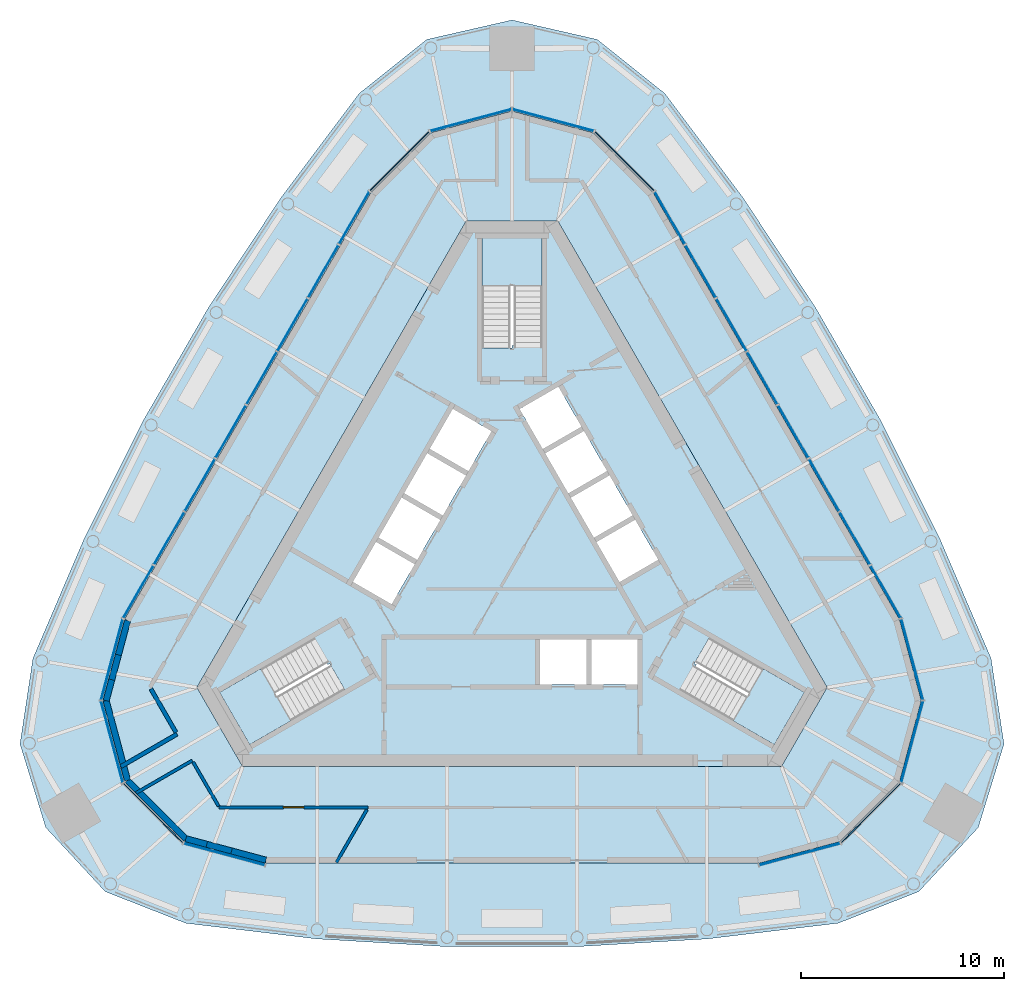
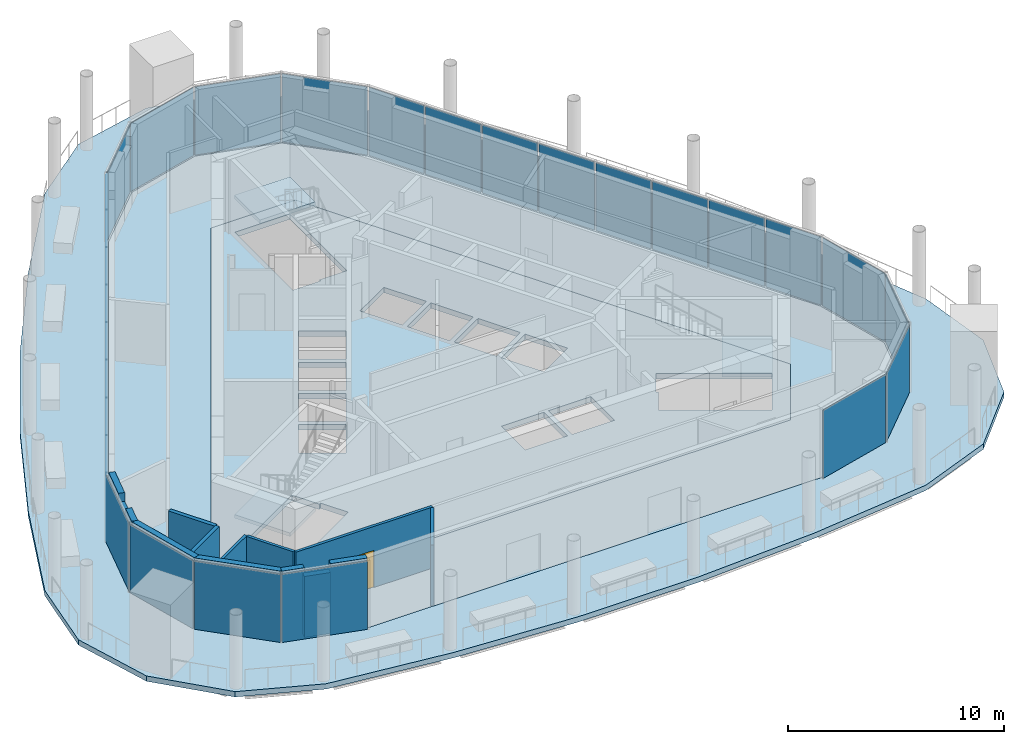
# One storey, part 5 of 15: 28 plates, 14 walls, 6 slabs, 1 door, 1 opening, 8 elements without a shape of their own.
"""IFC4 building model written with IfcOpenShell, lengths in metres."""

from ifc_helpers import new_model, si_unit, direction, frame, frame_2d, origin, origin_2d, place, context, subcontext, project, spatial, polyline, rectangle, outline, extrude, material, layer, layer_set, type_object, element, fill, aggregate, save


model = new_model("IFC4")

# Units and contexts
model_context = context("Model", 3, precision=1e-05, world=origin(), true_north=direction((0.0, 1.0)))
body_context = subcontext(model_context, "Body", "Model", "MODEL_VIEW")
ifc_project = project(units=[si_unit("LENGTHUNIT", "METRE"), si_unit("AREAUNIT", "SQUARE_METRE"), si_unit("VOLUMEUNIT", "CUBIC_METRE"), si_unit("PLANEANGLEUNIT", "RADIAN"), si_unit("MASSUNIT", "GRAM", prefix="KILO")], contexts=[model_context])

# Site, building, storey
site_placement = place(None, origin())
site = spatial("IfcSite", under=ifc_project, at=site_placement, CompositionType="ELEMENT")
building_placement = place(site_placement, origin())
building = spatial("IfcBuilding", under=site, at=building_placement, Name="Mestral Congress Tower", CompositionType="ELEMENT")
storey_placement = place(building_placement, frame((0.0, 0.0, 327.60009765625)))
storey = spatial("IfcBuildingStorey", under=building, at=storey_placement, Name="L76", CompositionType="ELEMENT", Elevation=327.60009765625)

# Slabs
ifc_material_1 = material(Name="Concrete C35/45", Category="concrete")
ifc_layer_1 = layer(ifc_material_1, 0.300048828125)
ifc_layer_set_1 = layer_set([ifc_layer_1], Name="Concrete C35/45")
slab_type_1 = type_object("IfcSlabType", Name="Composite floor slab 300", PredefinedType="FLOOR", material=ifc_layer_set_1)
placement_1 = place(storey_placement, frame((0.0, 0.0, -0.300048828125)))
element("IfcSlab", 1, at=placement_1, inside=storey, type_object=slab_type_1, Name="SL-L76", PredefinedType="FLOOR", context=body_context, shape_type="SweptSolid", body=[
    extrude(outline(polyline([(12.12451171875, -15.0), (16.12451171875, -13.92822265625), (19.052490234375, -11.0), (20.12451171875, -7.0), (19.052490234375, -3.0), (6.92822265625, 18.0), (4.0, 20.92822265625), (0.0, 22.0), (-4.0, 20.92822265625), (-6.92822265625, 18.0), (-19.052490234375, -3.0), (-20.12451171875, -7.0), (-19.052490234375, -11.0), (-16.12451171875, -13.92822265625), (-12.12451171875, -15.0), (12.12451171875, -15.0)]), holes=[polyline([(-2.251708984375, 16.60009765625), (-15.501953125, -6.35009765625), (-13.250244140625, -10.25), (13.250244140625, -10.25), (15.501953125, -6.35009765625), (2.251708984375, 16.60009765625), (-2.251708984375, 16.60009765625)])]), origin(), (0.0, 0.0, 1.0), 0.300048828125),
])
ifc_material_2 = material(Name="Concrete C60/75", Category="concrete")
ifc_layer_2 = layer(ifc_material_2, 0.300048828125)
ifc_layer_set_2 = layer_set([ifc_layer_2], Name="Concrete C60/75")
slab_type_2 = type_object("IfcSlabType", Name="Core floor slab RC 300", PredefinedType="FLOOR", material=ifc_layer_set_2)
element("IfcSlab", 2, at=placement_1, inside=storey, type_object=slab_type_2, Name="L76 core floor", PredefinedType="FLOOR", context=body_context, shape_type="SweptSolid", body=[
    extrude(outline(polyline([(13.250244140625, -10.25), (-13.250244140625, -10.25), (-15.501953125, -6.35009765625), (-2.251708984375, 16.60009765625), (2.251708984375, 16.60009765625), (15.501953125, -6.35009765625), (13.250244140625, -10.25)]), holes=[polyline([(-14.37744140625, -6.59765625), (-12.90234375, -9.15234375), (-8.234619140625, -6.45751953125), (-8.971923828125, -5.179931640625), (-9.0673828125, -5.235107421875), (-9.8046875, -3.95751953125), (-14.37744140625, -6.59765625)]), polyline([(-5.921630859375, -2.256591796875), (-4.78662109375, -0.29052734375), (-6.69189453125, 0.809326171875), (-7.826904296875, -1.156494140625), (-5.921630859375, -2.256591796875)]), polyline([(-4.66162109375, -0.07421875), (-3.526611328125, 1.8916015625), (-5.431884765625, 2.99169921875), (-6.56689453125, 1.02587890625), (-4.66162109375, -0.07421875)]), polyline([(-2.2666015625, 4.07421875), (-4.171875, 5.174072265625), (-5.306884765625, 3.208251953125), (-3.401611328125, 2.1083984375), (-2.2666015625, 4.07421875)]), polyline([(-2.1416015625, 4.29052734375), (-1.006591796875, 6.256591796875), (-2.911865234375, 7.3564453125), (-4.046875, 5.390625), (-2.1416015625, 4.29052734375)]), polyline([(0.376708984375, 7.34765625), (1.51171875, 5.3818359375), (3.4169921875, 6.481689453125), (2.281982421875, 8.44775390625), (0.376708984375, 7.34765625)]), polyline([(1.47509765625, 15.75), (-1.47509765625, 15.75), (-1.47509765625, 10.360107421875), (0.0, 10.360107421875), (0.0, 10.469970703125), (1.47509765625, 10.469970703125), (1.47509765625, 15.75)]), polyline([(8.329833984375, -6.512451171875), (12.90234375, -9.15234375), (14.37744140625, -6.59765625), (9.70947265625, -3.902587890625), (8.971923828125, -5.179931640625), (9.0673828125, -5.235107421875), (8.329833984375, -6.512451171875)]), polyline([(3.655029296875, -4.0), (1.385009765625, -4.0), (1.385009765625, -6.199951171875), (3.655029296875, -6.199951171875), (3.655029296875, -4.0)]), polyline([(6.175048828125, -4.0), (3.905029296875, -4.0), (3.905029296875, -6.199951171875), (6.175048828125, -6.199951171875), (6.175048828125, -4.0)]), polyline([(4.156494140625, 0.800537109375), (5.29150390625, -1.165283203125), (7.197021484375, -0.065185546875), (6.06201171875, 1.900634765625), (4.156494140625, 0.800537109375)]), polyline([(2.896484375, 2.98291015625), (4.031494140625, 1.01708984375), (5.93701171875, 2.1171875), (4.802001953125, 4.0830078125), (2.896484375, 2.98291015625)]), polyline([(1.63671875, 5.165283203125), (2.771484375, 3.199462890625), (4.677001953125, 4.29931640625), (3.5419921875, 6.265380859375), (1.63671875, 5.165283203125)])]), origin(), (0.0, 0.0, 1.0), 0.300048828125),
])

# Stair, slab
stair_type = type_object("IfcStairType", Name="Exit stair 1400", PredefinedType="HALF_TURN_STAIR", material=ifc_material_2)
placement_2 = place(storey_placement, origin())
stair_1 = element("IfcStair", 3, at=placement_2, inside=storey, type_object=stair_type, Name="L76 ST1", PredefinedType="HALF_TURN_STAIR")
ifc_layer_3 = layer(ifc_material_2, 0.199951171875)
ifc_layer_set_3 = layer_set([ifc_layer_3], Name="Concrete C60/75")
slab_type_3 = type_object("IfcSlabType", Name="Exit stair landing 200", PredefinedType="LANDING", material=ifc_layer_set_3)
placement_3 = place(storey_placement, frame((0.0, 0.0, 1.89990234375)))
slab_3 = element("IfcSlab", 4, at=placement_3, type_object=slab_type_3, Name="ST1 landing 1", PredefinedType="LANDING", context=body_context, shape_type="SweptSolid", body=[
    extrude(outline(polyline([(10.879638671875, -7.99609375), (12.364501953125, -5.424072265625), (14.39111328125, -6.593994140625), (12.906005859375, -9.166015625), (10.879638671875, -7.99609375)])), origin(), (0.0, 0.0, 1.0), 0.199951171875),
])
aggregate(stair_1, [slab_3])

stair_2 = element("IfcStair", 5, at=placement_2, inside=storey, type_object=stair_type, Name="L76 ST2", PredefinedType="HALF_TURN_STAIR")
slab_4 = element("IfcSlab", 6, at=placement_3, type_object=slab_type_3, Name="ST2 landing 1", PredefinedType="LANDING", context=body_context, shape_type="SweptSolid", body=[
    extrude(outline(polyline([(1.485107421875, 13.419921875), (-1.485107421875, 13.419921875), (-1.485107421875, 15.760009765625), (1.485107421875, 15.760009765625), (1.485107421875, 13.419921875)])), origin(), (0.0, 0.0, 1.0), 0.199951171875),
])
aggregate(stair_2, [slab_4])

stair_3 = element("IfcStair", 7, at=placement_2, inside=storey, type_object=stair_type, Name="L76 ST3", PredefinedType="HALF_TURN_STAIR")
slab_5 = element("IfcSlab", 8, at=placement_3, type_object=slab_type_3, Name="ST3 landing 1", PredefinedType="LANDING", context=body_context, shape_type="SweptSolid", body=[
    extrude(outline(polyline([(-12.364501953125, -5.424072265625), (-10.879638671875, -7.99609375), (-12.906005859375, -9.166015625), (-14.39111328125, -6.593994140625), (-12.364501953125, -5.424072265625)])), origin(), (0.0, 0.0, 1.0), 0.199951171875),
])
aggregate(stair_3, [slab_5])

# Curtain wall, plates
ifc_material_3 = material(Name="Glazed ceramic", Category="masonry")
curtain_wall_type = type_object("IfcCurtainWallType", Name="Facade plant louvre screen", PredefinedType="USERDEFINED", material=ifc_material_3)
curtain_wall_1 = element("IfcCurtainWall", 9, at=placement_2, inside=storey, type_object=curtain_wall_type, Name="Plant louvre screen corner 1", ObjectType="CURTAIN WALL", PredefinedType="USERDEFINED")
ifc_layer_4 = layer(ifc_material_3, 0.0400390625)
ifc_layer_set_4 = layer_set([ifc_layer_4], Name="Glazed ceramic")
plate_type = type_object("IfcPlateType", Name="Facade plant louvre screen panel", PredefinedType="CURTAIN_PANEL", material=ifc_layer_set_4)
plate_1_placement = place(storey_placement, frame((14.156982421875, -14.558837890625, -0.000244140625), z_axis=(0.0, 0.0, 1.0), x_axis=(0.965925826289, 0.258819045103, 0.0)))
plate_1 = element("IfcPlate", 10, at=plate_1_placement, type_object=plate_type, Name="Ceramic louvre panel", PredefinedType="CURTAIN_PANEL", context=body_context, shape_type="SweptSolid", body=[
    extrude(rectangle(XDim=4.10107421875, YDim=0.0400390625, at=origin_2d()), origin(), (0.0, 0.0, 1.0), 3.85009765625),
])
plate_2_placement = place(storey_placement, frame((17.6591796875, -12.534912109375, -0.000244140625), z_axis=(0.0, 0.0, 1.0), x_axis=(0.707106781187, 0.707106781187, 0.0)))
plate_2 = element("IfcPlate", 11, at=plate_2_placement, type_object=plate_type, Name="Ceramic louvre panel", PredefinedType="CURTAIN_PANEL", context=body_context, shape_type="SweptSolid", body=[
    extrude(rectangle(XDim=4.11474609375, YDim=0.0400390625, at=origin_2d()), origin(), (0.0, 0.0, 1.0), 3.85009765625),
])
plate_3_placement = place(storey_placement, frame((19.68505859375, -9.02587890625, -0.000244140625), z_axis=(0.0, 0.0, 1.0), x_axis=(0.258819045103, 0.965925826289, 0.0)))
plate_3 = element("IfcPlate", 12, at=plate_3_placement, type_object=plate_type, Name="Ceramic louvre panel", PredefinedType="CURTAIN_PANEL", context=body_context, shape_type="SweptSolid", body=[
    extrude(rectangle(XDim=4.11474609375, YDim=0.0400390625, at=origin_2d()), origin(), (0.0, 0.0, 1.0), 3.85009765625),
])
plate_4_placement = place(storey_placement, frame((19.68701171875, -4.980712890625, -0.000244140625), z_axis=(0.0, 0.0, 1.0), x_axis=(-0.258819045103, 0.965925826289, 0.0)))
plate_4 = element("IfcPlate", 13, at=plate_4_placement, type_object=plate_type, Name="Ceramic louvre panel", PredefinedType="CURTAIN_PANEL", context=body_context, shape_type="SweptSolid", body=[
    extrude(rectangle(XDim=4.10107421875, YDim=0.0400390625, at=origin_2d()), origin(), (0.0, 0.0, 1.0), 3.85009765625),
])
aggregate(curtain_wall_1, [plate_1, plate_2, plate_3, plate_4])

curtain_wall_2 = element("IfcCurtainWall", 14, at=placement_2, inside=storey, type_object=curtain_wall_type, Name="Plant louvre screen side 2", ObjectType="CURTAIN WALL", PredefinedType="USERDEFINED")
plate_5_placement = place(storey_placement, frame((18.38720703125, -1.6474609375, -0.000244140625), z_axis=(0.0, 0.0, 1.0), x_axis=(-0.500001511499, 0.866024531118, 0.0)))
plate_5 = element("IfcPlate", 15, at=plate_5_placement, type_object=plate_type, Name="Ceramic louvre panel", PredefinedType="CURTAIN_PANEL", context=body_context, shape_type="SweptSolid", body=[
    extrude(rectangle(XDim=2.954345703125, YDim=0.0400390625, at=origin_2d()), origin(), (0.0, 0.0, 1.0), 3.85009765625),
])
plate_6_placement = place(storey_placement, frame((16.8701171875, 0.98046875, -0.000244140625), z_axis=(0.0, 0.0, 1.0), x_axis=(-0.500001511499, 0.866024531118, 0.0)))
plate_6 = element("IfcPlate", 16, at=plate_6_placement, type_object=plate_type, Name="Ceramic louvre panel", PredefinedType="CURTAIN_PANEL", context=body_context, shape_type="SweptSolid", body=[
    extrude(rectangle(XDim=2.954345703125, YDim=0.0400390625, at=origin_2d()), origin(), (0.0, 0.0, 1.0), 3.85009765625),
])
plate_7_placement = place(storey_placement, frame((15.352783203125, 3.608154296875, -0.000244140625), z_axis=(0.0, 0.0, 1.0), x_axis=(-0.500001511499, 0.866024531118, 0.0)))
plate_7 = element("IfcPlate", 17, at=plate_7_placement, type_object=plate_type, Name="Ceramic louvre panel", PredefinedType="CURTAIN_PANEL", context=body_context, shape_type="SweptSolid", body=[
    extrude(rectangle(XDim=2.954345703125, YDim=0.0400390625, at=origin_2d()), origin(), (0.0, 0.0, 1.0), 3.85009765625),
])
plate_8_placement = place(storey_placement, frame((13.835693359375, 6.236083984375, -0.000244140625), z_axis=(0.0, 0.0, 1.0), x_axis=(-0.500001511499, 0.866024531118, 0.0)))
plate_8 = element("IfcPlate", 18, at=plate_8_placement, type_object=plate_type, Name="Ceramic louvre panel", PredefinedType="CURTAIN_PANEL", context=body_context, shape_type="SweptSolid", body=[
    extrude(rectangle(XDim=2.954345703125, YDim=0.0400390625, at=origin_2d()), origin(), (0.0, 0.0, 1.0), 3.85009765625),
])
plate_9_placement = place(storey_placement, frame((12.318359375, 8.864013671875, -0.000244140625), z_axis=(0.0, 0.0, 1.0), x_axis=(-0.500001511499, 0.866024531118, 0.0)))
plate_9 = element("IfcPlate", 19, at=plate_9_placement, type_object=plate_type, Name="Ceramic louvre panel", PredefinedType="CURTAIN_PANEL", context=body_context, shape_type="SweptSolid", body=[
    extrude(rectangle(XDim=2.954345703125, YDim=0.0400390625, at=origin_2d()), origin(), (0.0, 0.0, 1.0), 3.85009765625),
])
plate_10_placement = place(storey_placement, frame((10.80126953125, 11.49169921875, -0.000244140625), z_axis=(0.0, 0.0, 1.0), x_axis=(-0.500001511499, 0.866024531118, 0.0)))
plate_10 = element("IfcPlate", 20, at=plate_10_placement, type_object=plate_type, Name="Ceramic louvre panel", PredefinedType="CURTAIN_PANEL", context=body_context, shape_type="SweptSolid", body=[
    extrude(rectangle(XDim=2.954345703125, YDim=0.0400390625, at=origin_2d()), origin(), (0.0, 0.0, 1.0), 3.85009765625),
])
plate_11_placement = place(storey_placement, frame((9.283935546875, 14.11962890625, -0.000244140625), z_axis=(0.0, 0.0, 1.0), x_axis=(-0.500001511499, 0.866024531118, 0.0)))
plate_11 = element("IfcPlate", 21, at=plate_11_placement, type_object=plate_type, Name="Ceramic louvre panel", PredefinedType="CURTAIN_PANEL", context=body_context, shape_type="SweptSolid", body=[
    extrude(rectangle(XDim=2.954345703125, YDim=0.0400390625, at=origin_2d()), origin(), (0.0, 0.0, 1.0), 3.85009765625),
])
plate_12_placement = place(storey_placement, frame((7.766845703125, 16.74755859375, -0.000244140625), z_axis=(0.0, 0.0, 1.0), x_axis=(-0.500001511499, 0.866024531118, 0.0)))
plate_12 = element("IfcPlate", 22, at=plate_12_placement, type_object=plate_type, Name="Ceramic louvre panel", PredefinedType="CURTAIN_PANEL", context=body_context, shape_type="SweptSolid", body=[
    extrude(rectangle(XDim=2.954345703125, YDim=0.0400390625, at=origin_2d()), origin(), (0.0, 0.0, 1.0), 3.85009765625),
])
aggregate(curtain_wall_2, [plate_5, plate_6, plate_7, plate_8, plate_9, plate_10, plate_11, plate_12])

curtain_wall_3 = element("IfcCurtainWall", 23, at=placement_2, inside=storey, type_object=curtain_wall_type, Name="Plant louvre screen corner 3", ObjectType="CURTAIN WALL", PredefinedType="USERDEFINED")
plate_13_placement = place(storey_placement, frame((5.530029296875, 19.53955078125, -0.000244140625), z_axis=(0.0, 0.0, 1.0), x_axis=(-0.707106781187, 0.707106781187, 0.0)))
plate_13 = element("IfcPlate", 24, at=plate_13_placement, type_object=plate_type, Name="Ceramic louvre panel", PredefinedType="CURTAIN_PANEL", context=body_context, shape_type="SweptSolid", body=[
    extrude(rectangle(XDim=4.10107421875, YDim=0.0400390625, at=origin_2d()), origin(), (0.0, 0.0, 1.0), 3.85009765625),
])
plate_14_placement = place(storey_placement, frame((2.02587890625, 21.560791015625, -0.000244140625), z_axis=(0.0, 0.0, 1.0), x_axis=(-0.965925826289, 0.258819045103, 0.0)))
plate_14 = element("IfcPlate", 25, at=plate_14_placement, type_object=plate_type, Name="Ceramic louvre panel", PredefinedType="CURTAIN_PANEL", context=body_context, shape_type="SweptSolid", body=[
    extrude(rectangle(XDim=4.11474609375, YDim=0.0400390625, at=origin_2d()), origin(), (0.0, 0.0, 1.0), 3.85009765625),
])
plate_15_placement = place(storey_placement, frame((-2.02587890625, 21.560791015625, -0.000244140625), z_axis=(0.0, 0.0, 1.0), x_axis=(-0.965925826289, -0.258819045103, 0.0)))
plate_15 = element("IfcPlate", 26, at=plate_15_placement, type_object=plate_type, Name="Ceramic louvre panel", PredefinedType="CURTAIN_PANEL", context=body_context, shape_type="SweptSolid", body=[
    extrude(rectangle(XDim=4.11474609375, YDim=0.0400390625, at=origin_2d()), origin(), (0.0, 0.0, 1.0), 3.85009765625),
])
plate_16_placement = place(storey_placement, frame((-5.530029296875, 19.53955078125, -0.000244140625), z_axis=(0.0, 0.0, 1.0), x_axis=(-0.707106781187, -0.707106781187, 0.0)))
plate_16 = element("IfcPlate", 27, at=plate_16_placement, type_object=plate_type, Name="Ceramic louvre panel", PredefinedType="CURTAIN_PANEL", context=body_context, shape_type="SweptSolid", body=[
    extrude(rectangle(XDim=4.10107421875, YDim=0.0400390625, at=origin_2d()), origin(), (0.0, 0.0, 1.0), 3.85009765625),
])
aggregate(curtain_wall_3, [plate_13, plate_14, plate_15, plate_16])

curtain_wall_4 = element("IfcCurtainWall", 28, at=placement_2, inside=storey, type_object=curtain_wall_type, Name="Plant louvre screen side 4", ObjectType="CURTAIN WALL", PredefinedType="USERDEFINED")
plate_17_placement = place(storey_placement, frame((-7.766845703125, 16.74755859375, -0.000244140625), z_axis=(0.0, 0.0, 1.0), x_axis=(-0.500001511499, -0.866024531118, 0.0)))
plate_17 = element("IfcPlate", 29, at=plate_17_placement, type_object=plate_type, Name="Ceramic louvre panel", PredefinedType="CURTAIN_PANEL", context=body_context, shape_type="SweptSolid", body=[
    extrude(rectangle(XDim=2.954345703125, YDim=0.0400390625, at=origin_2d()), origin(), (0.0, 0.0, 1.0), 3.85009765625),
])
plate_18_placement = place(storey_placement, frame((-9.283935546875, 14.11962890625, -0.000244140625), z_axis=(0.0, 0.0, 1.0), x_axis=(-0.500001511499, -0.866024531118, 0.0)))
plate_18 = element("IfcPlate", 30, at=plate_18_placement, type_object=plate_type, Name="Ceramic louvre panel", PredefinedType="CURTAIN_PANEL", context=body_context, shape_type="SweptSolid", body=[
    extrude(rectangle(XDim=2.954345703125, YDim=0.0400390625, at=origin_2d()), origin(), (0.0, 0.0, 1.0), 3.85009765625),
])
plate_19_placement = place(storey_placement, frame((-10.80126953125, 11.49169921875, -0.000244140625), z_axis=(0.0, 0.0, 1.0), x_axis=(-0.500001511499, -0.866024531118, 0.0)))
plate_19 = element("IfcPlate", 31, at=plate_19_placement, type_object=plate_type, Name="Ceramic louvre panel", PredefinedType="CURTAIN_PANEL", context=body_context, shape_type="SweptSolid", body=[
    extrude(rectangle(XDim=2.954345703125, YDim=0.0400390625, at=origin_2d()), origin(), (0.0, 0.0, 1.0), 3.85009765625),
])
plate_20_placement = place(storey_placement, frame((-12.318359375, 8.864013671875, -0.000244140625), z_axis=(0.0, 0.0, 1.0), x_axis=(-0.500001511499, -0.866024531118, 0.0)))
plate_20 = element("IfcPlate", 32, at=plate_20_placement, type_object=plate_type, Name="Ceramic louvre panel", PredefinedType="CURTAIN_PANEL", context=body_context, shape_type="SweptSolid", body=[
    extrude(rectangle(XDim=2.954345703125, YDim=0.0400390625, at=origin_2d()), origin(), (0.0, 0.0, 1.0), 3.85009765625),
])
plate_21_placement = place(storey_placement, frame((-13.835693359375, 6.236083984375, -0.000244140625), z_axis=(0.0, 0.0, 1.0), x_axis=(-0.500001511499, -0.866024531118, 0.0)))
plate_21 = element("IfcPlate", 33, at=plate_21_placement, type_object=plate_type, Name="Ceramic louvre panel", PredefinedType="CURTAIN_PANEL", context=body_context, shape_type="SweptSolid", body=[
    extrude(rectangle(XDim=2.954345703125, YDim=0.0400390625, at=origin_2d()), origin(), (0.0, 0.0, 1.0), 3.85009765625),
])
plate_22_placement = place(storey_placement, frame((-15.352783203125, 3.608154296875, -0.000244140625), z_axis=(0.0, 0.0, 1.0), x_axis=(-0.500001511499, -0.866024531118, 0.0)))
plate_22 = element("IfcPlate", 34, at=plate_22_placement, type_object=plate_type, Name="Ceramic louvre panel", PredefinedType="CURTAIN_PANEL", context=body_context, shape_type="SweptSolid", body=[
    extrude(rectangle(XDim=2.954345703125, YDim=0.0400390625, at=origin_2d()), origin(), (0.0, 0.0, 1.0), 3.85009765625),
])
plate_23_placement = place(storey_placement, frame((-16.8701171875, 0.98046875, -0.000244140625), z_axis=(0.0, 0.0, 1.0), x_axis=(-0.500001511499, -0.866024531118, 0.0)))
plate_23 = element("IfcPlate", 35, at=plate_23_placement, type_object=plate_type, Name="Ceramic louvre panel", PredefinedType="CURTAIN_PANEL", context=body_context, shape_type="SweptSolid", body=[
    extrude(rectangle(XDim=2.954345703125, YDim=0.0400390625, at=origin_2d()), origin(), (0.0, 0.0, 1.0), 3.85009765625),
])
plate_24_placement = place(storey_placement, frame((-18.38720703125, -1.6474609375, -0.000244140625), z_axis=(0.0, 0.0, 1.0), x_axis=(-0.500001511499, -0.866024531118, 0.0)))
plate_24 = element("IfcPlate", 36, at=plate_24_placement, type_object=plate_type, Name="Ceramic louvre panel", PredefinedType="CURTAIN_PANEL", context=body_context, shape_type="SweptSolid", body=[
    extrude(rectangle(XDim=2.954345703125, YDim=0.0400390625, at=origin_2d()), origin(), (0.0, 0.0, 1.0), 3.85009765625),
])
aggregate(curtain_wall_4, [plate_17, plate_18, plate_19, plate_20, plate_21, plate_22, plate_23, plate_24])

curtain_wall_5 = element("IfcCurtainWall", 37, at=placement_2, inside=storey, type_object=curtain_wall_type, Name="Plant louvre screen corner 5", ObjectType="CURTAIN WALL", PredefinedType="USERDEFINED")
plate_25_placement = place(storey_placement, frame((-19.68701171875, -4.980712890625, -0.000244140625), z_axis=(0.0, 0.0, 1.0), x_axis=(-0.258819045103, -0.965925826289, 0.0)))
plate_25 = element("IfcPlate", 38, at=plate_25_placement, type_object=plate_type, Name="Ceramic louvre panel", PredefinedType="CURTAIN_PANEL", context=body_context, shape_type="SweptSolid", body=[
    extrude(rectangle(XDim=4.10107421875, YDim=0.0400390625, at=origin_2d()), origin(), (0.0, 0.0, 1.0), 3.85009765625),
])
plate_26_placement = place(storey_placement, frame((-19.68505859375, -9.02587890625, -0.000244140625), z_axis=(0.0, 0.0, 1.0), x_axis=(0.258819045103, -0.965925826289, 0.0)))
plate_26 = element("IfcPlate", 39, at=plate_26_placement, type_object=plate_type, Name="Ceramic louvre panel", PredefinedType="CURTAIN_PANEL", context=body_context, shape_type="SweptSolid", body=[
    extrude(rectangle(XDim=4.11474609375, YDim=0.0400390625, at=origin_2d()), origin(), (0.0, 0.0, 1.0), 3.85009765625),
])
plate_27_placement = place(storey_placement, frame((-17.6591796875, -12.534912109375, -0.000244140625), z_axis=(0.0, 0.0, 1.0), x_axis=(0.707106781187, -0.707106781187, 0.0)))
plate_27 = element("IfcPlate", 40, at=plate_27_placement, type_object=plate_type, Name="Ceramic louvre panel", PredefinedType="CURTAIN_PANEL", context=body_context, shape_type="SweptSolid", body=[
    extrude(rectangle(XDim=4.11474609375, YDim=0.0400390625, at=origin_2d()), origin(), (0.0, 0.0, 1.0), 3.85009765625),
])
plate_28_placement = place(storey_placement, frame((-14.156982421875, -14.558837890625, -0.000244140625), z_axis=(0.0, 0.0, 1.0), x_axis=(0.965925826289, -0.258819045103, 0.0)))
plate_28 = element("IfcPlate", 41, at=plate_28_placement, type_object=plate_type, Name="Ceramic louvre panel", PredefinedType="CURTAIN_PANEL", context=body_context, shape_type="SweptSolid", body=[
    extrude(rectangle(XDim=4.10107421875, YDim=0.0400390625, at=origin_2d()), origin(), (0.0, 0.0, 1.0), 3.85009765625),
])
aggregate(curtain_wall_5, [plate_25, plate_26, plate_27, plate_28])

# Slab
ifc_layer_5 = layer(ifc_material_1, 0.300048828125)
ifc_layer_set_5 = layer_set([ifc_layer_5], Name="Concrete C35/45")
slab_type_4 = type_object("IfcSlabType", Name="Terrace deck slab 300", PredefinedType="FLOOR", material=ifc_layer_set_5)
element("IfcSlab", 42, at=placement_1, inside=storey, type_object=slab_type_4, Name="SL-L76-TERR", PredefinedType="FLOOR", context=body_context, shape_type="SweptSolid", body=[
    extrude(outline(polyline([(-16.051513671875, -17.951904296875), (-9.62744140625, -18.72216796875), (-3.212890625, -19.105224609375), (3.212890625, -19.105224609375), (9.62744140625, -18.72216796875), (16.051513671875, -17.951904296875), (20.014404296875, -16.39794921875), (22.940673828125, -13.244873046875), (24.208251953125, -9.1337890625), (23.572509765625, -4.925048828125), (21.027587890625, 1.0234375), (18.152099609375, 6.77001953125), (14.939208984375, 12.335205078125), (11.400146484375, 17.698486328125), (7.52099609375, 22.876953125), (4.19384765625, 25.531982421875), (0.0, 26.48974609375), (-4.19384765625, 25.531982421875), (-7.52099609375, 22.876953125), (-11.400146484375, 17.698486328125), (-14.939208984375, 12.335205078125), (-18.152099609375, 6.77001953125), (-21.027587890625, 1.0234375), (-23.572509765625, -4.925048828125), (-24.208251953125, -9.1337890625), (-22.940673828125, -13.244873046875), (-20.014404296875, -16.39794921875), (-16.051513671875, -17.951904296875)]), holes=[polyline([(-12.12451171875, -15.0), (-16.12451171875, -13.92822265625), (-19.052490234375, -11.0), (-20.12451171875, -7.0), (-19.052490234375, -3.0), (-6.92822265625, 18.0), (-4.0, 20.92822265625), (0.0, 22.0), (4.0, 20.92822265625), (6.92822265625, 18.0), (19.052490234375, -3.0), (20.12451171875, -7.0), (19.052490234375, -11.0), (16.12451171875, -13.92822265625), (12.12451171875, -15.0), (-12.12451171875, -15.0)])]), origin(), (0.0, 0.0, 1.0), 0.300048828125),
])

# Walls
ifc_material_4 = material(Name="Precast concrete C40/50 with limestone facing", Category="masonry")
ifc_layer_6 = layer(ifc_material_4, 0.300048828125)
ifc_layer_set_6 = layer_set([ifc_layer_6], Name="Precast concrete C40/50 with limestone facing")
wall_type_1 = type_object("IfcWallType", Name="Crown plant block wall 300", PredefinedType="SOLIDWALL", material=ifc_layer_set_6)
wall_1_placement = place(storey_placement, frame((-18.912841796875, -3.057861328125, 0.0), z_axis=(0.0, 0.0, 1.0), x_axis=(-0.258824282894, -0.965924422812, 0.0)))
element("IfcWall", 43, at=wall_1_placement, inside=storey, type_object=wall_type_1, Name="Plant block wall 11", PredefinedType="SOLIDWALL", context=body_context, shape_type="SweptSolid", body=[
    extrude(rectangle(XDim=1.752685546875, YDim=0.300048828125, at=frame_2d((0.87646484375, 0.0))), origin(), (0.0, 0.0, 1.0), 3.949951171875),
])
wall_2_placement = place(storey_placement, frame((-19.693603515625, -5.9716796875, 0.0), z_axis=(0.0, 0.0, 1.0), x_axis=(-0.258690231517, -0.96596033258, 0.0)))
element("IfcWall", 44, at=wall_2_placement, inside=storey, type_object=wall_type_1, Name="Plant block wall 11", PredefinedType="SOLIDWALL", context=body_context, shape_type="SweptSolid", body=[
    extrude(rectangle(XDim=1.064453125, YDim=0.300048828125, at=frame_2d((0.5322265625, 0.0))), origin(), (0.0, 0.0, 1.0), 3.949951171875),
])
for number, where, z_axis, x_axis, name in (
    (45, (-19.968994140625, -7.0, 0.0), (0.0, 0.0, 1.0), (0.258770144726, -0.965938927779, 0.0), "Plant block wall 12"),
    (46, (-18.918212890625, -10.92236328125, 0.0), (0.0, 0.0, 1.0), (0.707106781187, -0.707106781187, 0.0), "Plant block wall 13"),
):
    element("IfcWall", number, at=place(storey_placement, frame(where, z_axis=z_axis, x_axis=x_axis)), inside=storey, type_object=wall_type_1, Name=name, PredefinedType="SOLIDWALL", context=body_context, shape_type="SweptSolid", body=[
        extrude(rectangle(XDim=4.060791015625, YDim=0.300048828125, at=frame_2d((2.0302734375, 0.0))), origin(), (0.0, 0.0, 1.0), 3.949951171875),
    ])
wall_3_placement = place(storey_placement, frame((-16.046875, -13.793701171875, 0.0), z_axis=(0.0, 0.0, 1.0), x_axis=(0.965918371587, -0.258846864828, 0.0)))
element("IfcWall", 47, at=wall_3_placement, inside=storey, type_object=wall_type_1, Name="Plant block wall 14", PredefinedType="SOLIDWALL", context=body_context, shape_type="SweptSolid", body=[
    extrude(rectangle(XDim=1.06494140625, YDim=0.300048828125, at=frame_2d((0.532470703125, 0.0))), origin(), (0.0, 0.0, 1.0), 3.949951171875),
])
wall_4_placement = place(storey_placement, frame((-13.79736328125, -14.396484375, 0.0), z_axis=(0.0, 0.0, 1.0), x_axis=(0.965915089044, -0.258859113723, 0.0)))
element("IfcWall", 48, at=wall_4_placement, inside=storey, type_object=wall_type_1, Name="Plant block wall 14", PredefinedType="SOLIDWALL", context=body_context, shape_type="SweptSolid", body=[
    extrude(rectangle(XDim=1.75244140625, YDim=0.300048828125, at=frame_2d((0.876220703125, 0.0))), origin(), (0.0, 0.0, 1.0), 3.949951171875),
])
ifc_layer_7 = layer(ifc_material_4, 0.300048828125)
ifc_layer_set_7 = layer_set([ifc_layer_7], Name="Precast concrete C40/50 with limestone facing")
wall_type_2 = type_object("IfcWallType", Name="Crown plant block wall 300 under girder", PredefinedType="SOLIDWALL", material=ifc_layer_set_7)
for number, where, z_axis, x_axis, name in (
    (49, (-19.366455078125, -4.750732421875, 0.0), (0.0, 0.0, 1.0), (-0.258816538161, -0.965926498018, 0.0), "Plant block wall 11"),
    (50, (-15.018310546875, -14.0693359375, 0.0), (0.0, 0.0, 1.0), (0.965926498018, -0.258816538161, 0.0), "Plant block wall 14"),
):
    element("IfcWall", number, at=place(storey_placement, frame(where, z_axis=z_axis, x_axis=x_axis)), inside=storey, type_object=wall_type_2, Name=name, PredefinedType="SOLIDWALL", context=body_context, shape_type="SweptSolid", body=[
        extrude(rectangle(XDim=1.263916015625, YDim=0.300048828125, at=frame_2d((0.6318359375, 0.0))), origin(), (0.0, 0.0, 1.0), 3.449951171875),
    ])

# Wall, opening, door
ifc_material_5 = material(Name="Fire-rated board partition")
ifc_layer_8 = layer(ifc_material_5, 0.14990234375)
ifc_layer_set_8 = layer_set([ifc_layer_8], Name="Fire-rated board partition")
wall_type_3 = type_object("IfcWallType", Name="Special partition 150 EI 180", PredefinedType="PARTITIONING", material=ifc_layer_set_8)
wall_5_placement = place(storey_placement, frame((-14.40478515625, -12.25, 0.0), z_axis=(0.0, 0.0, 1.0), x_axis=(1.0, 0.0, 0.0)))
wall_5 = element("IfcWall", 51, at=wall_5_placement, inside=storey, type_object=wall_type_3, Name="Partition", PredefinedType="PARTITIONING", context=body_context, shape_type="SweptSolid", body=[
    extrude(rectangle(XDim=7.322509765625, YDim=0.14990234375, at=frame_2d((3.6611328125, 0.0))), origin(), (0.0, 0.0, 1.0), 3.449951171875),
])
opening_placement = place(wall_5_placement, frame((3.161376953125, 0.0, 0.0)))
opening = element("IfcOpeningElement", 52, at=opening_placement, cuts=wall_5, Name="Opening K76-002", PredefinedType="OPENING", context=body_context, shape_type="SweptSolid", body=[
    extrude(rectangle(XDim=1.0, YDim=2.10009765625, at=frame_2d((0.5, 1.050048828125))), frame((0.0, 0.0849609375, 0.0), z_axis=(0.0, -1.0, 0.0), x_axis=(1.0, 0.0, 0.0)), (0.0, 0.0, 1.0), 0.169921875),
])
ifc_material_6 = material(Name="Fire-rated steel door set", Category="steel")
door_type = type_object("IfcDoorType", Name="Assembly door 1000x2100", OperationType="SINGLE_SWING_LEFT", PredefinedType="DOOR", material=ifc_material_6)
door_placement = place(opening_placement, origin())
door = element("IfcDoor", 53, at=door_placement, inside=storey, type_object=door_type, Name="Door K76-002", OperationType="SINGLE_SWING_RIGHT", OverallHeight=2.10009765625, OverallWidth=1.0, PredefinedType="DOOR", context=body_context, shape_type="SweptSolid", body=[
    extrude(rectangle(XDim=1.0, YDim=2.10009765625, at=frame_2d((0.5, 1.050048828125))), frame((0.0, 0.02490234375, 0.0), z_axis=(0.0, -1.0, 0.0), x_axis=(1.0, 0.0, 0.0)), (0.0, 0.0, 1.0), 0.050048828125),
])
fill(opening, door)

# Walls
wall_6_placement = place(storey_placement, frame((-15.733154296875, -9.949462890625, 0.0), z_axis=(0.0, 0.0, 1.0), x_axis=(-0.866019818373, -0.500009674092, 0.0)))
element("IfcWall", 54, at=wall_6_placement, inside=storey, type_object=wall_type_3, Name="Partition", PredefinedType="PARTITIONING", context=body_context, shape_type="SweptSolid", body=[
    extrude(rectangle(XDim=3.1884765625, YDim=0.14990234375, at=frame_2d((1.59423828125, 0.0))), origin(), (0.0, 0.0, 1.0), 3.449951171875),
])
wall_7_placement = place(storey_placement, frame((-7.137451171875, -12.362548828125, 0.0), z_axis=(0.0, 0.0, 1.0), x_axis=(-0.500009026289, -0.866020192391, 0.0)))
element("IfcWall", 55, at=wall_7_placement, inside=storey, type_object=wall_type_3, Name="Partition", PredefinedType="PARTITIONING", context=body_context, shape_type="SweptSolid", body=[
    extrude(rectangle(XDim=2.9990234375, YDim=0.14990234375, at=frame_2d((1.49951171875, 0.0))), origin(), (0.0, 0.0, 1.0), 3.449951171875),
])
wall_8_placement = place(storey_placement, frame((-14.43994140625, -12.189453125, 0.0), z_axis=(0.0, 0.0, 1.0), x_axis=(-0.499983837127, 0.866034735222, 0.0)))
element("IfcWall", 56, at=wall_8_placement, inside=storey, type_object=wall_type_3, Name="Partition", PredefinedType="PARTITIONING", context=body_context, shape_type="SweptSolid", body=[
    extrude(rectangle(XDim=2.50634765625, YDim=0.14990234375, at=frame_2d((1.253173828125, 0.0))), origin(), (0.0, 0.0, 1.0), 3.449951171875),
])
ifc_material_7 = material(Name="Concrete block wall, plastered", Category="concrete")
ifc_layer_9 = layer(ifc_material_7, 0.199951171875)
ifc_layer_set_9 = layer_set([ifc_layer_9], Name="Concrete block wall, plastered")
wall_type_4 = type_object("IfcWallType", Name="Special partition 200 EI 120", PredefinedType="PARTITIONING", material=ifc_layer_set_9)
wall_9_placement = place(storey_placement, frame((-19.244384765625, -10.24462890625, 0.0), z_axis=(0.0, 0.0, 1.0), x_axis=(0.866019818373, 0.500009674092, 0.0)))
element("IfcWall", 57, at=wall_9_placement, inside=storey, type_object=wall_type_4, Name="Partition", PredefinedType="PARTITIONING", context=body_context, shape_type="SweptSolid", body=[
    extrude(rectangle(XDim=3.1884765625, YDim=0.199951171875, at=frame_2d((1.59423828125, 0.0))), origin(), (0.0, 0.0, 1.0), 3.449951171875),
])
wall_10_placement = place(storey_placement, frame((-16.533203125, -8.56396484375, 0.0), z_axis=(0.0, 0.0, 1.0), x_axis=(-0.49998236749, 0.86603558368, 0.0)))
element("IfcWall", 58, at=wall_10_placement, inside=storey, type_object=wall_type_4, Name="Partition", PredefinedType="PARTITIONING", context=body_context, shape_type="SweptSolid", body=[
    extrude(rectangle(XDim=2.46630859375, YDim=0.199951171875, at=frame_2d((1.233154296875, 0.0))), origin(), (0.0, 0.0, 1.0), 3.449951171875),
])

save(model, "model.ifc")
